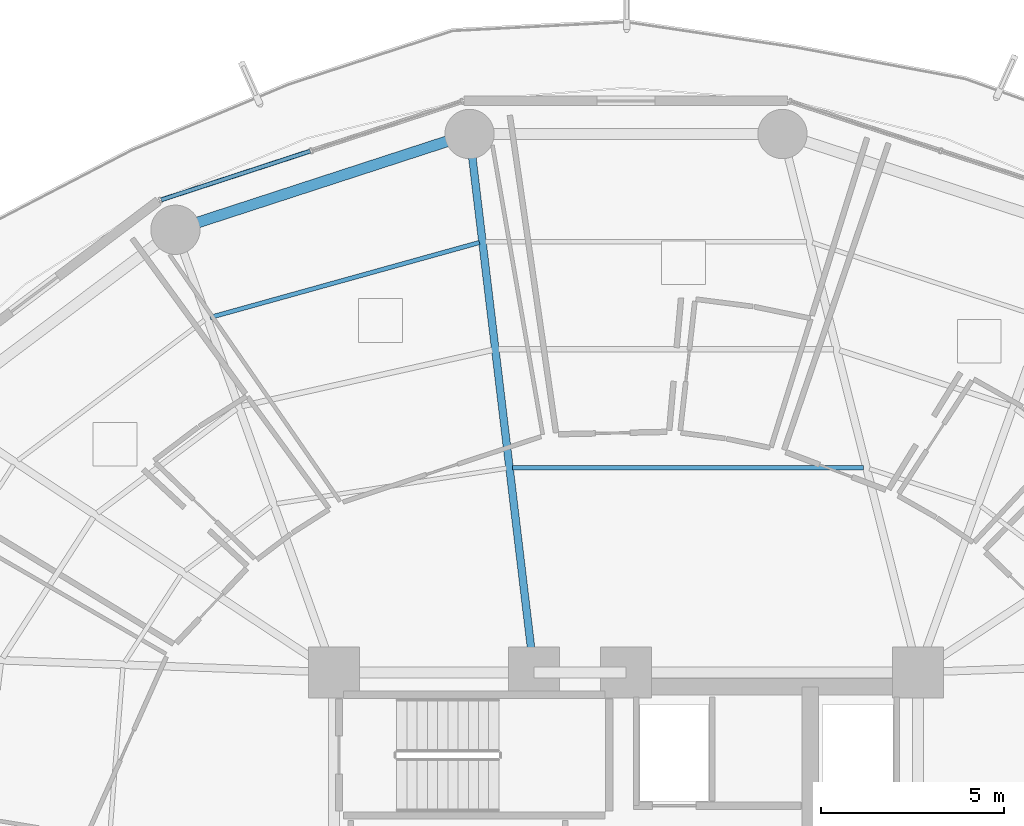
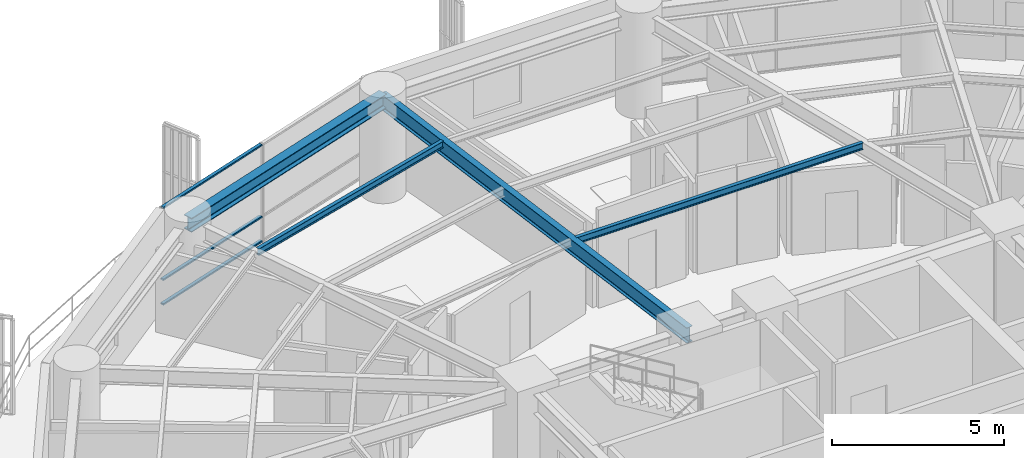
# One storey, part 20 of 35: 4 beams, 3 members, 1 element without a shape of its own.
"""IFC4 building model written with IfcOpenShell, lengths in metres."""

from ifc_helpers import new_model, si_unit, direction, frame, origin, origin_2d, place, context, subcontext, project, spatial, hollow_rectangle, i_section, extrude, material, layer, layer_set, material_profile, profile_set, type_object, element, aggregate, save


model = new_model("IFC4")

# Units and contexts
model_context = context("Model", 3, precision=1e-05, world=origin(), true_north=direction((0.0, 1.0)))
body_context = subcontext(model_context, "Body", "Model", "MODEL_VIEW")
ifc_project = project(units=[si_unit("LENGTHUNIT", "METRE"), si_unit("AREAUNIT", "SQUARE_METRE"), si_unit("VOLUMEUNIT", "CUBIC_METRE"), si_unit("PLANEANGLEUNIT", "RADIAN"), si_unit("MASSUNIT", "GRAM", prefix="KILO")], contexts=[model_context])

# Site, building, storey
site_placement = place(None, origin())
site = spatial("IfcSite", under=ifc_project, at=site_placement, CompositionType="ELEMENT")
building_placement = place(site_placement, origin())
building = spatial("IfcBuilding", under=site, at=building_placement, Name="Kelanora Arch Commons", CompositionType="ELEMENT")
storey_placement = place(building_placement, frame((0.0, 0.0, 91.35009765625)))
storey = spatial("IfcBuildingStorey", under=building, at=storey_placement, Name="L23", CompositionType="ELEMENT", Elevation=91.35009765625)

# Beams
ifc_material_1 = material(Name="Steel S355", Category="steel")
ifc_material_profile_1 = material_profile(ifc_material_1, i_section(OverallWidth=0.1201171875, OverallDepth=0.239990234375, WebThickness=0.006103515625, FlangeThickness=0.009765625, FilletRadius=0.014892578125, at=origin_2d()), Name="IPE240")
ifc_profile_set_1 = profile_set([ifc_material_profile_1], Name="Steel S355")
beam_type_1 = type_object("IfcBeamType", Name="BM-JST-02", PredefinedType="JOIST", material=ifc_profile_set_1)
beam_1_placement = place(storey_placement, frame((80.50341796875, 70.602783203125, 3.369873046875), z_axis=(-1.0, 0.0, 0.0), x_axis=(0.0, -1.0, 0.0)))
element("IfcBeam", 1, at=beam_1_placement, inside=storey, type_object=beam_type_1, Name="Secondary Chord Joist BJA-08 L23", PredefinedType="JOIST", context=body_context, shape_type="SweptSolid", body=[
    extrude(i_section(OverallWidth=0.1201171875, OverallDepth=0.239990234375, WebThickness=0.006103515625, FlangeThickness=0.009765625, FilletRadius=0.014892578125, at=origin_2d()), origin(), (0.0, 0.0, 1.0), 9.609375),
])
beam_2_placement = place(storey_placement, frame((69.985595703125, 76.77294921875, 3.369873046875), z_axis=(-0.963385760896, -0.268119144603, 0.0), x_axis=(0.268119144603, -0.963385760896, 0.0)))
element("IfcBeam", 2, at=beam_2_placement, inside=storey, type_object=beam_type_1, Name="Secondary Chord Joist BJC-10 L23", PredefinedType="JOIST", context=body_context, shape_type="SweptSolid", body=[
    extrude(i_section(OverallWidth=0.1201171875, OverallDepth=0.239990234375, WebThickness=0.006103515625, FlangeThickness=0.009765625, FilletRadius=0.014892578125, at=origin_2d()), origin(), (0.0, 0.0, 1.0), 7.656005859375),
])
ifc_material_profile_2 = material_profile(ifc_material_1, i_section(OverallWidth=0.2099609375, OverallDepth=0.550048828125, WebThickness=0.010986328125, FlangeThickness=0.01708984375, FilletRadius=0.02392578125, at=origin_2d()), Name="IPE550")
ifc_profile_set_2 = profile_set([ifc_material_profile_2], Name="Steel S355")
beam_type_2 = type_object("IfcBeamType", Name="BM-RAD-Z2", PredefinedType="BEAM", material=ifc_profile_set_2)
beam_3_placement = place(storey_placement, frame((71.47998046875, 65.0, 3.21484375), z_axis=(-0.118897572414, 0.992906524943, 0.0), x_axis=(-0.992906524943, -0.118897572414, 0.0)))
element("IfcBeam", 3, at=beam_3_placement, inside=storey, type_object=beam_type_2, Name="Radial Floor Girder BR-10 L23", PredefinedType="BEAM", context=body_context, shape_type="SweptSolid", body=[
    extrude(i_section(OverallWidth=0.2099609375, OverallDepth=0.550048828125, WebThickness=0.010986328125, FlangeThickness=0.01708984375, FilletRadius=0.02392578125, at=origin_2d()), origin(), (0.0, 0.0, 1.0), 14.849853515625),
])
ifc_material_profile_3 = material_profile(ifc_material_1, i_section(OverallWidth=0.300048828125, OverallDepth=0.5, WebThickness=0.014404296875, FlangeThickness=0.028076171875, FilletRadius=0.027099609375, at=origin_2d()), Name="HEB500")
ifc_profile_set_3 = profile_set([ifc_material_profile_3], Name="Steel S355")
beam_type_3 = type_object("IfcBeamType", Name="BM-SPN-Z2", PredefinedType="SPANDREL", material=ifc_profile_set_3)
beam_4_placement = place(storey_placement, frame((69.71435546875, 79.74462890625, 3.239990234375), z_axis=(-0.950856631974, -0.309631499418, 0.0), x_axis=(0.309631499418, -0.950856631974, 0.0)))
element("IfcBeam", 4, at=beam_4_placement, inside=storey, type_object=beam_type_3, Name="Perimeter Spandrel Beam BS-10 L23", PredefinedType="SPANDREL", context=body_context, shape_type="SweptSolid", body=[
    extrude(i_section(OverallWidth=0.300048828125, OverallDepth=0.5, WebThickness=0.014404296875, FlangeThickness=0.028076171875, FilletRadius=0.027099609375, at=origin_2d()), origin(), (0.0, 0.0, 1.0), 8.470703125),
])

# Curtain wall, members
ifc_material_2 = material(Name="Terracotta ceramic-fritted low-E glass and aluminium", Category="masonry")
ifc_layer = layer(ifc_material_2, 0.159912109375)
ifc_layer_set = layer_set([ifc_layer], Name="Terracotta ceramic-fritted low-E glass and aluminium")
curtain_wall_type = type_object("IfcCurtainWallType", Name="CW-SYS-01", PredefinedType="NOTDEFINED", material=ifc_layer_set)
curtain_wall_placement = place(storey_placement, origin())
curtain_wall = element("IfcCurtainWall", 5, at=curtain_wall_placement, inside=storey, type_object=curtain_wall_type, Name="Unitised Curtain Wall L23-B05", PredefinedType="NOTDEFINED")
ifc_material_3 = material(Name="Powder-coated aluminium terracotta", Category="masonry")
ifc_material_profile_4 = material_profile(ifc_material_3, hollow_rectangle(XDim=0.1201171875, YDim=0.06005859375, WallThickness=0.0048828125, InnerFilletRadius=0.0048828125, OuterFilletRadius=0.010009765625, at=origin_2d()), Name="CWT120x60")
ifc_profile_set_4 = profile_set([ifc_material_profile_4], Name="Powder-coated aluminium terracotta")
member_type = type_object("IfcMemberType", Name="CWT-STD", PredefinedType="USERDEFINED", material=ifc_profile_set_4)
member_1_placement = place(storey_placement, frame((65.348876953125, 79.275390625, 0.02978515625), z_axis=(-0.950466230394, -0.310827838008, 0.0), x_axis=(0.310827838008, -0.950466230394, 0.0)))
member_1 = element("IfcMember", 6, at=member_1_placement, type_object=member_type, Name="CW-01 transom 2.1", ObjectType="TRANSOM", PredefinedType="USERDEFINED", context=body_context, shape_type="SweptSolid", body=[
    extrude(hollow_rectangle(XDim=0.1201171875, YDim=0.06005859375, WallThickness=0.0048828125, InnerFilletRadius=0.0048828125, OuterFilletRadius=0.010009765625, at=origin_2d()), origin(), (0.0, 0.0, 1.0), 4.2900390625),
])
member_2_placement = place(storey_placement, frame((65.348876953125, 79.275390625, 0.89990234375), z_axis=(-0.950466230394, -0.310827838008, 0.0), x_axis=(0.310827838008, -0.950466230394, 0.0)))
member_2 = element("IfcMember", 7, at=member_2_placement, type_object=member_type, Name="CW-01 transom 2.2", ObjectType="TRANSOM", PredefinedType="USERDEFINED", context=body_context, shape_type="SweptSolid", body=[
    extrude(hollow_rectangle(XDim=0.1201171875, YDim=0.06005859375, WallThickness=0.0048828125, InnerFilletRadius=0.0048828125, OuterFilletRadius=0.010009765625, at=origin_2d()), origin(), (0.0, 0.0, 1.0), 4.2900390625),
])
member_3_placement = place(storey_placement, frame((65.348876953125, 79.275390625, 3.44482421875), z_axis=(-0.950466230394, -0.310827838008, 0.0), x_axis=(0.310827838008, -0.950466230394, 0.0)))
member_3 = element("IfcMember", 8, at=member_3_placement, type_object=member_type, Name="CW-01 transom 2.3", ObjectType="TRANSOM", PredefinedType="USERDEFINED", context=body_context, shape_type="SweptSolid", body=[
    extrude(hollow_rectangle(XDim=0.1201171875, YDim=0.06005859375, WallThickness=0.0048828125, InnerFilletRadius=0.0048828125, OuterFilletRadius=0.010009765625, at=origin_2d()), origin(), (0.0, 0.0, 1.0), 4.2900390625),
])
aggregate(curtain_wall, [member_1, member_2, member_3])

save(model, "model.ifc")
